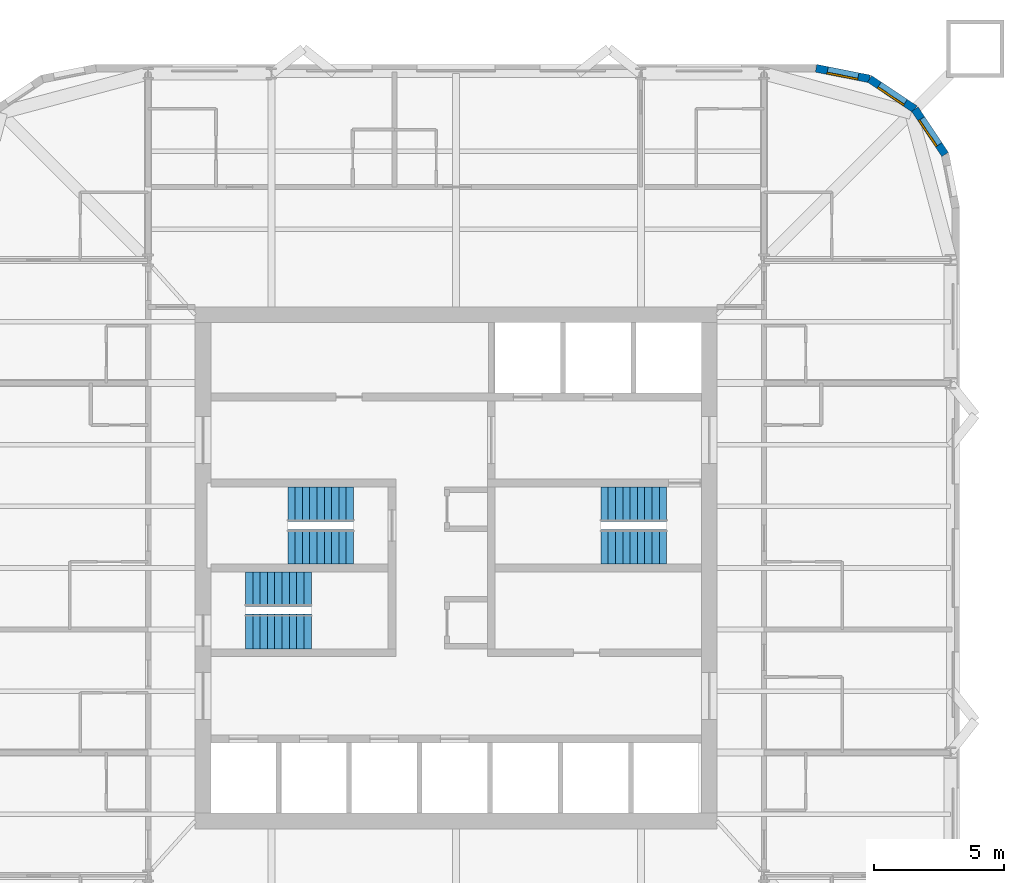
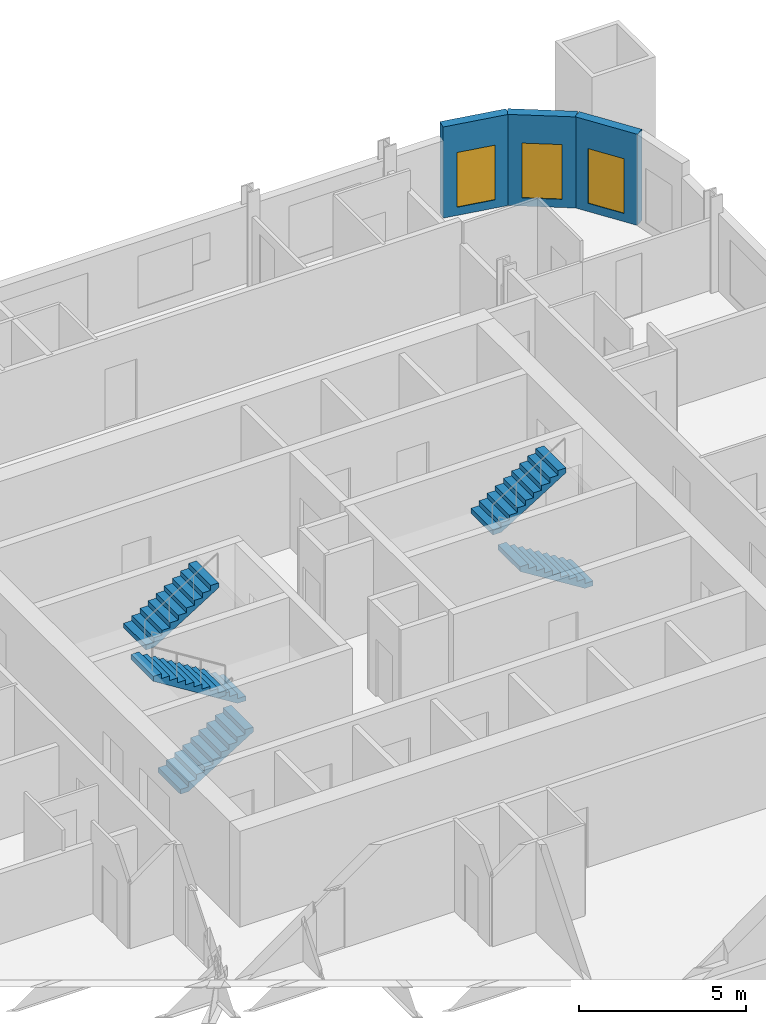
# One storey, part 8 of 9: 6 stair flights, 3 walls, 3 windows, 3 openings, 3 elements without a shape of their own.
"""IFC4 building model written with IfcOpenShell, lengths in metres."""

from ifc_helpers import new_model, si_unit, direction, frame, frame_2d, origin, place, context, subcontext, project, spatial, polyline, rectangle, outline, extrude, material, layer, layer_set, type_object, element, fill, aggregate, save


model = new_model("IFC4")

# Units and contexts
model_context = context("Model", 3, precision=1e-05, world=origin(), true_north=direction((0.0, 1.0)))
body_context = subcontext(model_context, "Body", "Model", "MODEL_VIEW")
ifc_project = project(units=[si_unit("LENGTHUNIT", "METRE"), si_unit("AREAUNIT", "SQUARE_METRE"), si_unit("VOLUMEUNIT", "CUBIC_METRE"), si_unit("PLANEANGLEUNIT", "RADIAN"), si_unit("MASSUNIT", "GRAM", prefix="KILO")], contexts=[model_context])

# Site, building, storey
site_placement = place(None, origin())
site = spatial("IfcSite", under=ifc_project, at=site_placement, CompositionType="ELEMENT")
building_placement = place(site_placement, origin())
building = spatial("IfcBuilding", under=site, at=building_placement, Name="Turquesa Mirador Hotel Tower", CompositionType="ELEMENT")
storey_placement = place(building_placement, frame((0.0, 0.0, 200.300048828125)))
storey = spatial("IfcBuildingStorey", under=building, at=storey_placement, Name="L54", CompositionType="ELEMENT", Elevation=200.300048828125)

# Wall, opening, window
ifc_material_1 = material(Name="Limestone cladding on concrete block", Category="masonry")
ifc_layer = layer(ifc_material_1, 0.300048828125)
ifc_layer_set = layer_set([ifc_layer], Name="FACADE WALL 300 STONE SCREEN")
wall_type = type_object("IfcWallType", Name="FACADE WALL 300 STONE SCREEN", PredefinedType="SOLIDWALL", material=ifc_layer_set)
wall_1_placement = place(storey_placement, frame((73.74267578125, 60.847412109375, 0.0), z_axis=(0.0, 0.0, 1.0), x_axis=(-0.555563607591, 0.831474039234, 0.0)))
wall_1 = element("IfcWall", 1, at=wall_1_placement, inside=storey, type_object=wall_type, Name="Facade wall L54 06", PredefinedType="SOLIDWALL", context=body_context, shape_type="SweptSolid", body=[
    extrude(rectangle(XDim=2.08740234375, YDim=0.300048828125, at=frame_2d((1.043701171875, 0.0))), origin(), (0.0, 0.0, 1.0), 3.329833984375),
])
opening_1_placement = place(wall_1_placement, frame((0.443603515625, 0.0, 0.300048828125)))
opening_1 = element("IfcOpeningElement", 2, at=opening_1_placement, cuts=wall_1, Name="Opening WN4", PredefinedType="OPENING", context=body_context, shape_type="SweptSolid", body=[
    extrude(rectangle(XDim=1.199951171875, YDim=2.0, at=frame_2d((0.60009765625, 1.0))), frame((0.0, 0.159912109375, 0.0), z_axis=(0.0, -1.0, 0.0), x_axis=(1.0, 0.0, 0.0)), (0.0, 0.0, 1.0), 0.320068359375),
])
ifc_material_2 = material(Name="Ceramic-fritted laminated glass", Category="glass")
window_type = type_object("IfcWindowType", Name="FRITTED CORNER WINDOW 1200X2000", PartitioningType="DOUBLE_PANEL_HORIZONTAL", PredefinedType="WINDOW", material=ifc_material_2)
window_1_placement = place(opening_1_placement, origin())
window_1 = element("IfcWindow", 3, at=window_1_placement, inside=storey, type_object=window_type, Name="Window L54", OverallHeight=2.0, OverallWidth=1.199951171875, PartitioningType="SINGLE_PANEL", PredefinedType="WINDOW", context=body_context, shape_type="SweptSolid", body=[
    extrude(rectangle(XDim=1.199951171875, YDim=2.0, at=frame_2d((0.60009765625, 1.0))), frame((0.0, 0.130126953125, 0.0), z_axis=(0.0, -1.0, 0.0), x_axis=(1.0, 0.0, 0.0)), (0.0, 0.0, 1.0), 0.06005859375),
])
fill(opening_1, window_1)

wall_2_placement = place(storey_placement, frame((72.5830078125, 62.5830078125, 0.0), z_axis=(0.0, 0.0, 1.0), x_axis=(-0.831474039234, 0.555563607591, 0.0)))
wall_2 = element("IfcWall", 4, at=wall_2_placement, inside=storey, type_object=wall_type, Name="Facade wall L54 07", PredefinedType="SOLIDWALL", context=body_context, shape_type="SweptSolid", body=[
    extrude(rectangle(XDim=2.08740234375, YDim=0.300048828125, at=frame_2d((1.043701171875, 0.0))), origin(), (0.0, 0.0, 1.0), 3.329833984375),
])
opening_2_placement = place(wall_2_placement, frame((0.443603515625, 0.0, 0.300048828125)))
opening_2 = element("IfcOpeningElement", 5, at=opening_2_placement, cuts=wall_2, Name="Opening WN4", PredefinedType="OPENING", context=body_context, shape_type="SweptSolid", body=[
    extrude(rectangle(XDim=1.199951171875, YDim=2.0, at=frame_2d((0.60009765625, 1.0))), frame((0.0, 0.159912109375, 0.0), z_axis=(0.0, -1.0, 0.0), x_axis=(1.0, 0.0, 0.0)), (0.0, 0.0, 1.0), 0.320068359375),
])
window_2_placement = place(opening_2_placement, origin())
window_2 = element("IfcWindow", 6, at=window_2_placement, inside=storey, type_object=window_type, Name="Window L54", OverallHeight=2.0, OverallWidth=1.199951171875, PartitioningType="SINGLE_PANEL", PredefinedType="WINDOW", context=body_context, shape_type="SweptSolid", body=[
    extrude(rectangle(XDim=1.199951171875, YDim=2.0, at=frame_2d((0.60009765625, 1.0))), frame((0.0, 0.130126953125, 0.0), z_axis=(0.0, -1.0, 0.0), x_axis=(1.0, 0.0, 0.0)), (0.0, 0.0, 1.0), 0.06005859375),
])
fill(opening_2, window_2)

wall_3_placement = place(storey_placement, frame((70.847412109375, 63.74267578125, 0.0), z_axis=(0.0, 0.0, 1.0), x_axis=(-0.980787050784, 0.195081421501, 0.0)))
wall_3 = element("IfcWall", 7, at=wall_3_placement, inside=storey, type_object=wall_type, Name="Facade wall L54 08", PredefinedType="SOLIDWALL", context=body_context, shape_type="SweptSolid", body=[
    extrude(rectangle(XDim=2.08740234375, YDim=0.300048828125, at=frame_2d((1.043701171875, 0.0))), origin(), (0.0, 0.0, 1.0), 3.329833984375),
])
opening_3_placement = place(wall_3_placement, frame((0.443603515625, 0.0, 0.300048828125)))
opening_3 = element("IfcOpeningElement", 8, at=opening_3_placement, cuts=wall_3, Name="Opening WN4", PredefinedType="OPENING", context=body_context, shape_type="SweptSolid", body=[
    extrude(rectangle(XDim=1.199951171875, YDim=2.0, at=frame_2d((0.60009765625, 1.0))), frame((0.0, 0.159912109375, 0.0), z_axis=(0.0, -1.0, 0.0), x_axis=(1.0, 0.0, 0.0)), (0.0, 0.0, 1.0), 0.320068359375),
])
window_3_placement = place(opening_3_placement, origin())
window_3 = element("IfcWindow", 9, at=window_3_placement, inside=storey, type_object=window_type, Name="Window L54", OverallHeight=2.0, OverallWidth=1.199951171875, PartitioningType="SINGLE_PANEL", PredefinedType="WINDOW", context=body_context, shape_type="SweptSolid", body=[
    extrude(rectangle(XDim=1.199951171875, YDim=2.0, at=frame_2d((0.60009765625, 1.0))), frame((0.0, 0.130126953125, 0.0), z_axis=(0.0, -1.0, 0.0), x_axis=(1.0, 0.0, 0.0)), (0.0, 0.0, 1.0), 0.06005859375),
])
fill(opening_3, window_3)

# Stair, stair flights
ifc_material_3 = material(Name="Concrete C35/45", Category="concrete")
stair_type = type_object("IfcStairType", Name="ESCAPE STAIR CORE", PredefinedType="HALF_TURN_STAIR", material=ifc_material_3)
stair_1_placement = place(storey_placement, origin())
stair_1 = element("IfcStair", 10, at=stair_1_placement, inside=storey, type_object=stair_type, Name="Stair ST1 L54 to L55", PredefinedType="HALF_TURN_STAIR")
ifc_material_4 = material(Name="Concrete C35/45 precast flight", Category="concrete")
stair_flight_type = type_object("IfcStairFlightType", Name="STAIR FLIGHT 1330", PredefinedType="STRAIGHT", material=ifc_material_4)
stair_flight_1_placement = place(storey_placement, frame((51.070068359375, 45.81494140625, 0.0), z_axis=(0.0, 0.0, 1.0), x_axis=(-1.0, 0.0, 0.0)))
stair_flight_1 = element("IfcStairFlight", 11, at=stair_flight_1_placement, type_object=stair_flight_type, Name="ST1 flight 1", NumberOfRisers=10, NumberOfTreads=9, PredefinedType="STRAIGHT", RiserHeight=0.175, TreadLength=0.28, context=body_context, shape_type="SweptSolid", body=[
    extrude(outline(polyline([(0.0, 0.0), (0.0, 0.175048828125), (0.280029296875, 0.175048828125), (0.280029296875, 0.35009765625), (0.56005859375, 0.35009765625), (0.56005859375, 0.52490234375), (0.840087890625, 0.52490234375), (0.840087890625, 0.699951171875), (1.1201171875, 0.699951171875), (1.1201171875, 0.875), (1.39990234375, 0.875), (1.39990234375, 1.050048828125), (1.679931640625, 1.050048828125), (1.679931640625, 1.22509765625), (1.9599609375, 1.22509765625), (1.9599609375, 1.39990234375), (2.239990234375, 1.39990234375), (2.239990234375, 1.574951171875), (2.52001953125, 1.574951171875), (2.52001953125, 1.75), (2.52001953125, 1.398193359375), (0.28271484375, 0.0), (0.0, 0.0)])), frame((0.0, 0.6650390625, 0.0), z_axis=(0.0, -1.0, 0.0), x_axis=(1.0, 0.0, 0.0)), (0.0, 0.0, 1.0), 1.330078125),
])
stair_flight_2_placement = place(storey_placement, frame((48.550048828125, 47.43505859375, 1.75), z_axis=(0.0, 0.0, 1.0), x_axis=(1.0, 0.0, 0.0)))
stair_flight_2 = element("IfcStairFlight", 12, at=stair_flight_2_placement, type_object=stair_flight_type, Name="ST1 flight 2", NumberOfRisers=10, NumberOfTreads=9, PredefinedType="STRAIGHT", RiserHeight=0.175, TreadLength=0.28, context=body_context, shape_type="SweptSolid", body=[
    extrude(outline(polyline([(0.0, 0.0), (0.0, 0.175048828125), (0.280029296875, 0.175048828125), (0.280029296875, 0.35009765625), (0.56005859375, 0.35009765625), (0.56005859375, 0.52490234375), (0.840087890625, 0.52490234375), (0.840087890625, 0.699951171875), (1.1201171875, 0.699951171875), (1.1201171875, 0.875), (1.39990234375, 0.875), (1.39990234375, 1.050048828125), (1.679931640625, 1.050048828125), (1.679931640625, 1.22509765625), (1.9599609375, 1.22509765625), (1.9599609375, 1.39990234375), (2.239990234375, 1.39990234375), (2.239990234375, 1.574951171875), (2.52001953125, 1.574951171875), (2.52001953125, 1.75), (2.52001953125, 1.398193359375), (0.28271484375, 0.0), (0.0, 0.0)])), frame((0.0, 0.6650390625, 0.0), z_axis=(0.0, -1.0, 0.0), x_axis=(1.0, 0.0, 0.0)), (0.0, 0.0, 1.0), 1.330078125),
])
aggregate(stair_1, [stair_flight_1, stair_flight_2])

stair_2_placement = place(storey_placement, origin())
stair_2 = element("IfcStair", 13, at=stair_2_placement, inside=storey, type_object=stair_type, Name="Stair ST2 L54 to L55", PredefinedType="HALF_TURN_STAIR")
stair_flight_3_placement = place(storey_placement, frame((46.929931640625, 42.56494140625, 0.0), z_axis=(0.0, 0.0, 1.0), x_axis=(1.0, 0.0, 0.0)))
stair_flight_3 = element("IfcStairFlight", 14, at=stair_flight_3_placement, type_object=stair_flight_type, Name="ST2 flight 1", NumberOfRisers=10, NumberOfTreads=9, PredefinedType="STRAIGHT", RiserHeight=0.175, TreadLength=0.28, context=body_context, shape_type="SweptSolid", body=[
    extrude(outline(polyline([(0.0, 0.0), (0.0, 0.175048828125), (0.280029296875, 0.175048828125), (0.280029296875, 0.35009765625), (0.56005859375, 0.35009765625), (0.56005859375, 0.52490234375), (0.840087890625, 0.52490234375), (0.840087890625, 0.699951171875), (1.1201171875, 0.699951171875), (1.1201171875, 0.875), (1.39990234375, 0.875), (1.39990234375, 1.050048828125), (1.679931640625, 1.050048828125), (1.679931640625, 1.22509765625), (1.9599609375, 1.22509765625), (1.9599609375, 1.39990234375), (2.239990234375, 1.39990234375), (2.239990234375, 1.574951171875), (2.52001953125, 1.574951171875), (2.52001953125, 1.75), (2.52001953125, 1.398193359375), (0.28271484375, 0.0), (0.0, 0.0)])), frame((0.0, 0.6650390625, 0.0), z_axis=(0.0, -1.0, 0.0), x_axis=(1.0, 0.0, 0.0)), (0.0, 0.0, 1.0), 1.330078125),
])
stair_flight_4_placement = place(storey_placement, frame((49.449951171875, 44.18505859375, 1.75), z_axis=(0.0, 0.0, 1.0), x_axis=(-1.0, 0.0, 0.0)))
stair_flight_4 = element("IfcStairFlight", 15, at=stair_flight_4_placement, type_object=stair_flight_type, Name="ST2 flight 2", NumberOfRisers=10, NumberOfTreads=9, PredefinedType="STRAIGHT", RiserHeight=0.175, TreadLength=0.28, context=body_context, shape_type="SweptSolid", body=[
    extrude(outline(polyline([(0.0, 0.0), (0.0, 0.175048828125), (0.280029296875, 0.175048828125), (0.280029296875, 0.35009765625), (0.56005859375, 0.35009765625), (0.56005859375, 0.52490234375), (0.840087890625, 0.52490234375), (0.840087890625, 0.699951171875), (1.1201171875, 0.699951171875), (1.1201171875, 0.875), (1.39990234375, 0.875), (1.39990234375, 1.050048828125), (1.679931640625, 1.050048828125), (1.679931640625, 1.22509765625), (1.9599609375, 1.22509765625), (1.9599609375, 1.39990234375), (2.239990234375, 1.39990234375), (2.239990234375, 1.574951171875), (2.52001953125, 1.574951171875), (2.52001953125, 1.75), (2.52001953125, 1.398193359375), (0.28271484375, 0.0), (0.0, 0.0)])), frame((0.0, 0.6650390625, 0.0), z_axis=(0.0, -1.0, 0.0), x_axis=(1.0, 0.0, 0.0)), (0.0, 0.0, 1.0), 1.330078125),
])
aggregate(stair_2, [stair_flight_3, stair_flight_4])

stair_3_placement = place(storey_placement, origin())
stair_3 = element("IfcStair", 16, at=stair_3_placement, inside=storey, type_object=stair_type, Name="Stair ST3 L54 to L55", PredefinedType="HALF_TURN_STAIR")
stair_flight_5_placement = place(storey_placement, frame((63.070068359375, 45.81494140625, 0.0), z_axis=(0.0, 0.0, 1.0), x_axis=(-1.0, 0.0, 0.0)))
stair_flight_5 = element("IfcStairFlight", 17, at=stair_flight_5_placement, type_object=stair_flight_type, Name="ST3 flight 1", NumberOfRisers=10, NumberOfTreads=9, PredefinedType="STRAIGHT", RiserHeight=0.175, TreadLength=0.28, context=body_context, shape_type="SweptSolid", body=[
    extrude(outline(polyline([(0.0, 0.0), (0.0, 0.175048828125), (0.280029296875, 0.175048828125), (0.280029296875, 0.35009765625), (0.56005859375, 0.35009765625), (0.56005859375, 0.52490234375), (0.840087890625, 0.52490234375), (0.840087890625, 0.699951171875), (1.1201171875, 0.699951171875), (1.1201171875, 0.875), (1.39990234375, 0.875), (1.39990234375, 1.050048828125), (1.679931640625, 1.050048828125), (1.679931640625, 1.22509765625), (1.9599609375, 1.22509765625), (1.9599609375, 1.39990234375), (2.239990234375, 1.39990234375), (2.239990234375, 1.574951171875), (2.52001953125, 1.574951171875), (2.52001953125, 1.75), (2.52001953125, 1.398193359375), (0.28271484375, 0.0), (0.0, 0.0)])), frame((0.0, 0.6650390625, 0.0), z_axis=(0.0, -1.0, 0.0), x_axis=(1.0, 0.0, 0.0)), (0.0, 0.0, 1.0), 1.330078125),
])
stair_flight_6_placement = place(storey_placement, frame((60.550048828125, 47.43505859375, 1.75), z_axis=(0.0, 0.0, 1.0), x_axis=(1.0, 0.0, 0.0)))
stair_flight_6 = element("IfcStairFlight", 18, at=stair_flight_6_placement, type_object=stair_flight_type, Name="ST3 flight 2", NumberOfRisers=10, NumberOfTreads=9, PredefinedType="STRAIGHT", RiserHeight=0.175, TreadLength=0.28, context=body_context, shape_type="SweptSolid", body=[
    extrude(outline(polyline([(0.0, 0.0), (0.0, 0.175048828125), (0.280029296875, 0.175048828125), (0.280029296875, 0.35009765625), (0.56005859375, 0.35009765625), (0.56005859375, 0.52490234375), (0.840087890625, 0.52490234375), (0.840087890625, 0.699951171875), (1.1201171875, 0.699951171875), (1.1201171875, 0.875), (1.39990234375, 0.875), (1.39990234375, 1.050048828125), (1.679931640625, 1.050048828125), (1.679931640625, 1.22509765625), (1.9599609375, 1.22509765625), (1.9599609375, 1.39990234375), (2.239990234375, 1.39990234375), (2.239990234375, 1.574951171875), (2.52001953125, 1.574951171875), (2.52001953125, 1.75), (2.52001953125, 1.398193359375), (0.28271484375, 0.0), (0.0, 0.0)])), frame((0.0, 0.6650390625, 0.0), z_axis=(0.0, -1.0, 0.0), x_axis=(1.0, 0.0, 0.0)), (0.0, 0.0, 1.0), 1.330078125),
])
aggregate(stair_3, [stair_flight_5, stair_flight_6])

save(model, "model.ifc")
